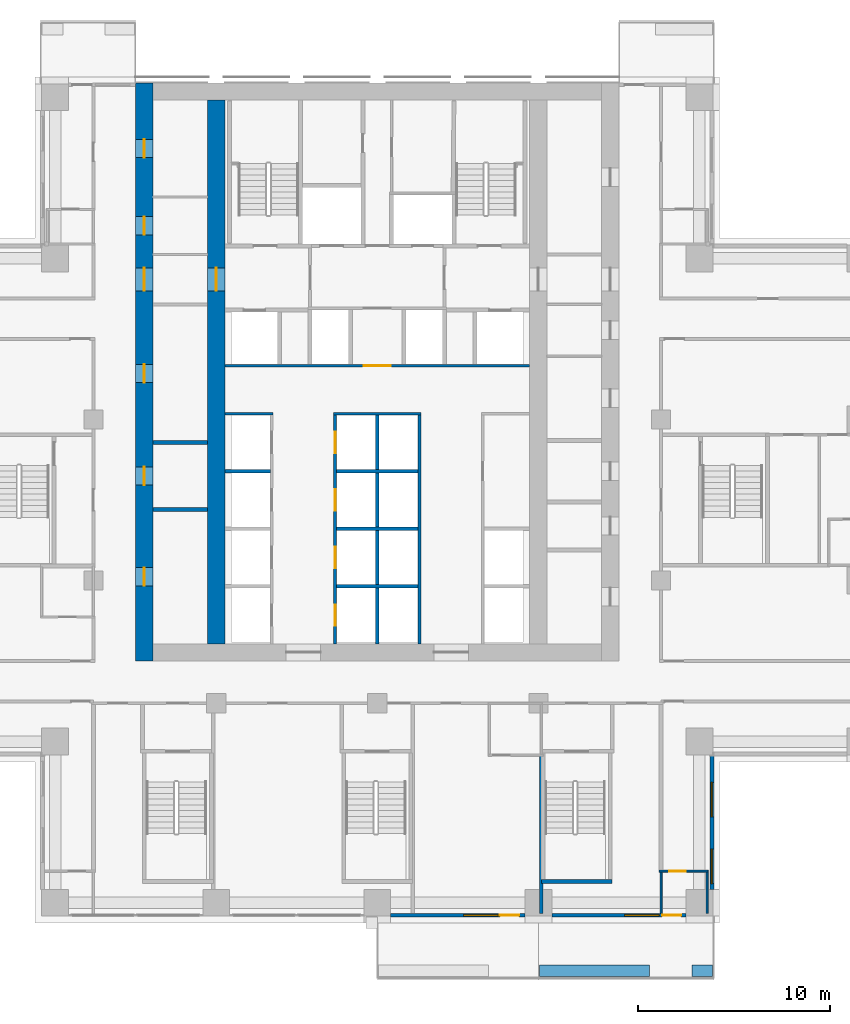
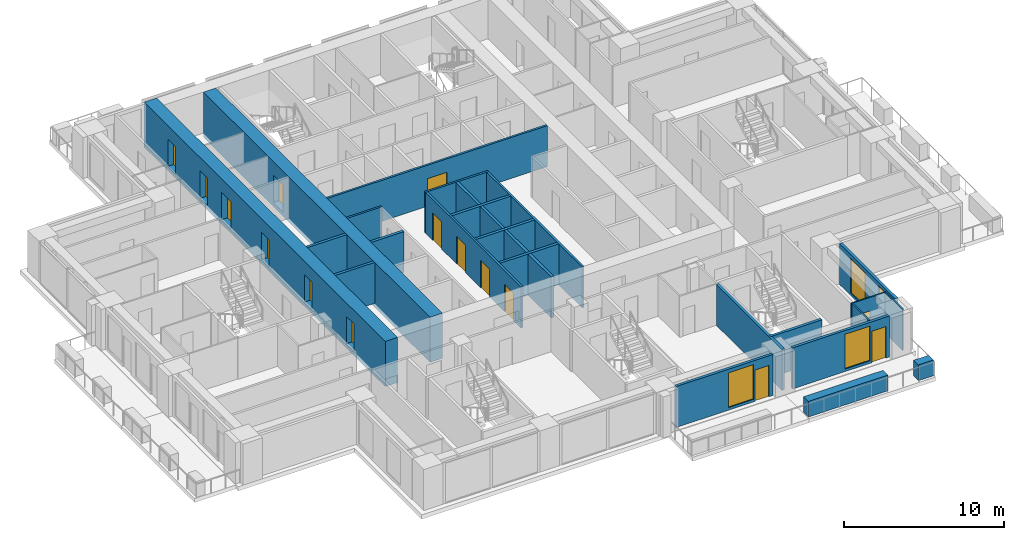
# One storey, part 10 of 17: 24 walls, 15 doors, 4 windows, 19 openings.
"""IFC4 building model written with IfcOpenShell, lengths in metres."""

from ifc_helpers import new_model, si_unit, direction, frame, frame_2d, origin, place, context, subcontext, project, spatial, rectangle, extrude, material, layer, layer_set, type_object, element, fill, save


model = new_model("IFC4")

# Units and contexts
model_context = context("Model", 3, precision=1e-05, world=origin(), true_north=direction((0.0, 1.0)))
body_context = subcontext(model_context, "Body", "Model", "MODEL_VIEW")
ifc_project = project(units=[si_unit("LENGTHUNIT", "METRE"), si_unit("AREAUNIT", "SQUARE_METRE"), si_unit("VOLUMEUNIT", "CUBIC_METRE"), si_unit("PLANEANGLEUNIT", "RADIAN"), si_unit("MASSUNIT", "GRAM", prefix="KILO")], contexts=[model_context])

# Site, building, storey
site_placement = place(None, origin())
site = spatial("IfcSite", under=ifc_project, at=site_placement, CompositionType="ELEMENT")
building_placement = place(site_placement, origin())
building = spatial("IfcBuilding", under=site, at=building_placement, Name="Vermilion Ogive Tower", CompositionType="ELEMENT")
storey_placement = place(building_placement, frame((0.0, 0.0, 51.75)))
storey = spatial("IfcBuildingStorey", under=building, at=storey_placement, Name="L11", CompositionType="ELEMENT", Elevation=51.75)

# Wall, openings, doors
ifc_material_1 = material(Name="Concrete B80", Category="concrete")
ifc_layer_1 = layer(ifc_material_1, 0.89990234375)
ifc_layer_set_1 = layer_set([ifc_layer_1], Name="Core wall 900 B80")
wall_type_1 = type_object("IfcWallType", Name="Core wall 900 B80", PredefinedType="SHEAR", material=ifc_layer_set_1)
wall_1_placement = place(storey_placement, frame((-12.14990234375, -8.39990234375, -0.320068359375), z_axis=(0.0, 0.0, 1.0), x_axis=(0.0, 1.0, 0.0)))
wall_1 = element("IfcWall", 1, at=wall_1_placement, inside=storey, type_object=wall_type_1, Name="L11-CORE-W", PredefinedType="SHEAR", context=body_context, shape_type="SweptSolid", body=[
    extrude(rectangle(XDim=30.14990234375, YDim=0.89990234375, at=frame_2d((15.074951171875, 0.0))), origin(), (0.0, 0.0, 1.0), 3.449951171875),
])
opening_1_placement = place(wall_1_placement, frame((3.925048828125, 0.0, 0.320068359375)))
opening_1 = element("IfcOpeningElement", 2, at=opening_1_placement, cuts=wall_1, Name="Opening DAD012", PredefinedType="OPENING", context=body_context, shape_type="SweptSolid", body=[
    extrude(rectangle(XDim=0.949951171875, YDim=2.10009765625, at=frame_2d((0.47509765625, 1.050048828125))), frame((0.0, 0.4599609375, 0.0), z_axis=(0.0, -1.0, 0.0), x_axis=(1.0, 0.0, 0.0)), (0.0, 0.0, 1.0), 0.919921875),
])
opening_2_placement = place(wall_1_placement, frame((9.175048828125, 0.0, 0.320068359375)))
opening_2 = element("IfcOpeningElement", 3, at=opening_2_placement, cuts=wall_1, Name="Opening DAD013", PredefinedType="OPENING", context=body_context, shape_type="SweptSolid", body=[
    extrude(rectangle(XDim=0.949951171875, YDim=2.10009765625, at=frame_2d((0.47509765625, 1.050048828125))), frame((0.0, 0.4599609375, 0.0), z_axis=(0.0, -1.0, 0.0), x_axis=(1.0, 0.0, 0.0)), (0.0, 0.0, 1.0), 0.919921875),
])
opening_3_placement = place(wall_1_placement, frame((14.52490234375, 0.0, 0.320068359375)))
opening_3 = element("IfcOpeningElement", 4, at=opening_3_placement, cuts=wall_1, Name="Opening DAD014", PredefinedType="OPENING", context=body_context, shape_type="SweptSolid", body=[
    extrude(rectangle(XDim=0.949951171875, YDim=2.10009765625, at=frame_2d((0.47509765625, 1.050048828125))), frame((0.0, 0.4599609375, 0.0), z_axis=(0.0, -1.0, 0.0), x_axis=(1.0, 0.0, 0.0)), (0.0, 0.0, 1.0), 0.919921875),
])
opening_4_placement = place(wall_1_placement, frame((22.22509765625, 0.0, 0.320068359375)))
opening_4 = element("IfcOpeningElement", 5, at=opening_4_placement, cuts=wall_1, Name="Opening DAD015", PredefinedType="OPENING", context=body_context, shape_type="SweptSolid", body=[
    extrude(rectangle(XDim=0.949951171875, YDim=2.10009765625, at=frame_2d((0.47509765625, 1.050048828125))), frame((0.0, 0.4599609375, 0.0), z_axis=(0.0, -1.0, 0.0), x_axis=(1.0, 0.0, 0.0)), (0.0, 0.0, 1.0), 0.919921875),
])
opening_5_placement = place(wall_1_placement, frame((26.25, 0.0, 0.320068359375)))
opening_5 = element("IfcOpeningElement", 6, at=opening_5_placement, cuts=wall_1, Name="Opening DAD016", PredefinedType="OPENING", context=body_context, shape_type="SweptSolid", body=[
    extrude(rectangle(XDim=0.949951171875, YDim=2.10009765625, at=frame_2d((0.47509765625, 1.050048828125))), frame((0.0, 0.4599609375, 0.0), z_axis=(0.0, -1.0, 0.0), x_axis=(1.0, 0.0, 0.0)), (0.0, 0.0, 1.0), 0.919921875),
])
opening_6_placement = place(wall_1_placement, frame((19.300048828125, 0.0, 0.320068359375)))
opening_6 = element("IfcOpeningElement", 7, at=opening_6_placement, cuts=wall_1, Name="Opening DAM003", PredefinedType="OPENING", context=body_context, shape_type="SweptSolid", body=[
    extrude(rectangle(XDim=1.199951171875, YDim=2.10009765625, at=frame_2d((0.60009765625, 1.050048828125))), frame((0.0, 0.4599609375, 0.0), z_axis=(0.0, -1.0, 0.0), x_axis=(1.0, 0.0, 0.0)), (0.0, 0.0, 1.0), 0.919921875),
])
ifc_material_2 = material(Name="Timber door leaf", Category="wood")
door_type_1 = type_object("IfcDoorType", Name="Link door 1200 x 2100 FD60S", OperationType="SINGLE_SWING_LEFT", PredefinedType="DOOR", material=ifc_material_2)
door_1_placement = place(opening_6_placement, origin())
door_1 = element("IfcDoor", 8, at=door_1_placement, inside=storey, type_object=door_type_1, Name="L11-CKW-XL", OperationType="SINGLE_SWING_LEFT", OverallHeight=2.10009765625, OverallWidth=1.199951171875, PredefinedType="DOOR", context=body_context, shape_type="SweptSolid", body=[
    extrude(rectangle(XDim=1.199951171875, YDim=2.10009765625, at=frame_2d((0.60009765625, 1.050048828125))), frame((0.0, 0.02490234375, 0.0), z_axis=(0.0, -1.0, 0.0), x_axis=(1.0, 0.0, 0.0)), (0.0, 0.0, 1.0), 0.050048828125),
])
fill(opening_6, door_1)
ifc_material_3 = material(Name="Timber door leaf", Category="wood")
door_type_2 = type_object("IfcDoorType", Name="Service door 950 x 2100 FD60", OperationType="SINGLE_SWING_LEFT", PredefinedType="DOOR", material=ifc_material_3)
door_2_placement = place(opening_1_placement, origin())
door_2 = element("IfcDoor", 9, at=door_2_placement, inside=storey, type_object=door_type_2, Name="L11-CKW-XR0", OperationType="SINGLE_SWING_LEFT", OverallHeight=2.10009765625, OverallWidth=0.949951171875, PredefinedType="DOOR", context=body_context, shape_type="SweptSolid", body=[
    extrude(rectangle(XDim=0.949951171875, YDim=2.10009765625, at=frame_2d((0.47509765625, 1.050048828125))), frame((0.0, 0.02490234375, 0.0), z_axis=(0.0, -1.0, 0.0), x_axis=(1.0, 0.0, 0.0)), (0.0, 0.0, 1.0), 0.050048828125),
])
fill(opening_1, door_2)
door_3_placement = place(opening_2_placement, origin())
door_3 = element("IfcDoor", 10, at=door_3_placement, inside=storey, type_object=door_type_2, Name="L11-CKW-XR1", OperationType="SINGLE_SWING_LEFT", OverallHeight=2.10009765625, OverallWidth=0.949951171875, PredefinedType="DOOR", context=body_context, shape_type="SweptSolid", body=[
    extrude(rectangle(XDim=0.949951171875, YDim=2.10009765625, at=frame_2d((0.47509765625, 1.050048828125))), frame((0.0, 0.02490234375, 0.0), z_axis=(0.0, -1.0, 0.0), x_axis=(1.0, 0.0, 0.0)), (0.0, 0.0, 1.0), 0.050048828125),
])
fill(opening_2, door_3)
door_4_placement = place(opening_3_placement, origin())
door_4 = element("IfcDoor", 11, at=door_4_placement, inside=storey, type_object=door_type_2, Name="L11-CKW-XR2", OperationType="SINGLE_SWING_LEFT", OverallHeight=2.10009765625, OverallWidth=0.949951171875, PredefinedType="DOOR", context=body_context, shape_type="SweptSolid", body=[
    extrude(rectangle(XDim=0.949951171875, YDim=2.10009765625, at=frame_2d((0.47509765625, 1.050048828125))), frame((0.0, 0.02490234375, 0.0), z_axis=(0.0, -1.0, 0.0), x_axis=(1.0, 0.0, 0.0)), (0.0, 0.0, 1.0), 0.050048828125),
])
fill(opening_3, door_4)
door_5_placement = place(opening_4_placement, origin())
door_5 = element("IfcDoor", 12, at=door_5_placement, inside=storey, type_object=door_type_2, Name="L11-CKW-XR3", OperationType="SINGLE_SWING_LEFT", OverallHeight=2.10009765625, OverallWidth=0.949951171875, PredefinedType="DOOR", context=body_context, shape_type="SweptSolid", body=[
    extrude(rectangle(XDim=0.949951171875, YDim=2.10009765625, at=frame_2d((0.47509765625, 1.050048828125))), frame((0.0, 0.02490234375, 0.0), z_axis=(0.0, -1.0, 0.0), x_axis=(1.0, 0.0, 0.0)), (0.0, 0.0, 1.0), 0.050048828125),
])
fill(opening_4, door_5)
door_6_placement = place(opening_5_placement, origin())
door_6 = element("IfcDoor", 13, at=door_6_placement, inside=storey, type_object=door_type_2, Name="L11-CKW-XR4", OperationType="SINGLE_SWING_LEFT", OverallHeight=2.10009765625, OverallWidth=0.949951171875, PredefinedType="DOOR", context=body_context, shape_type="SweptSolid", body=[
    extrude(rectangle(XDim=0.949951171875, YDim=2.10009765625, at=frame_2d((0.47509765625, 1.050048828125))), frame((0.0, 0.02490234375, 0.0), z_axis=(0.0, -1.0, 0.0), x_axis=(1.0, 0.0, 0.0)), (0.0, 0.0, 1.0), 0.050048828125),
])
fill(opening_5, door_6)

# Wall, opening, door
wall_2_placement = place(storey_placement, frame((-8.39990234375, -7.5, -0.320068359375), z_axis=(0.0, 0.0, 1.0), x_axis=(0.0, 1.0, 0.0)))
wall_2 = element("IfcWall", 14, at=wall_2_placement, inside=storey, type_object=wall_type_1, Name="L11-CORE-WEB1", PredefinedType="SHEAR", context=body_context, shape_type="SweptSolid", body=[
    extrude(rectangle(XDim=28.35009765625, YDim=0.89990234375, at=frame_2d((14.175048828125, 0.0))), origin(), (0.0, 0.0, 1.0), 3.449951171875),
])
opening_7_placement = place(wall_2_placement, frame((18.39990234375, 0.0, 0.320068359375)))
opening_7 = element("IfcOpeningElement", 15, at=opening_7_placement, cuts=wall_2, Name="Opening DAP003", PredefinedType="OPENING", context=body_context, shape_type="SweptSolid", body=[
    extrude(rectangle(XDim=1.199951171875, YDim=2.10009765625, at=frame_2d((0.60009765625, 1.050048828125))), frame((0.0, 0.4599609375, 0.0), z_axis=(0.0, -1.0, 0.0), x_axis=(1.0, 0.0, 0.0)), (0.0, 0.0, 1.0), 0.919921875),
])
door_7_placement = place(opening_7_placement, origin())
door_7 = element("IfcDoor", 16, at=door_7_placement, inside=storey, type_object=door_type_1, Name="L11-CKW-XW", OperationType="SINGLE_SWING_LEFT", OverallHeight=2.10009765625, OverallWidth=1.199951171875, PredefinedType="DOOR", context=body_context, shape_type="SweptSolid", body=[
    extrude(rectangle(XDim=1.199951171875, YDim=2.10009765625, at=frame_2d((0.60009765625, 1.050048828125))), frame((0.0, 0.02490234375, 0.0), z_axis=(0.0, -1.0, 0.0), x_axis=(1.0, 0.0, 0.0)), (0.0, 0.0, 1.0), 0.050048828125),
])
fill(opening_7, door_7)

ifc_material_4 = material(Name="Gypsum board partition on steel studs", Category="steel")
ifc_layer_2 = layer(ifc_material_4, 0.10009765625)
ifc_layer_set_2 = layer_set([ifc_layer_2], Name="Partition 100 bath")
wall_type_2 = type_object("IfcWallType", Name="Partition 100 bath", PredefinedType="PARTITIONING", material=ifc_layer_set_2)
wall_3_placement = place(storey_placement, frame((14.699951171875, -19.35009765625, 0.0), z_axis=(0.0, 0.0, 1.0), x_axis=(1.0, 0.0, 0.0)))
wall_3 = element("IfcWall", 17, at=wall_3_placement, inside=storey, type_object=wall_type_2, Name="L11-W-W005", PredefinedType="PARTITIONING", context=body_context, shape_type="SweptSolid", body=[
    extrude(rectangle(XDim=2.550048828125, YDim=0.10009765625, at=frame_2d((1.27490234375, 0.0))), origin(), (0.0, 0.0, 1.0), 3.1298828125),
])
opening_8_placement = place(wall_3_placement, frame((0.52490234375, 0.0, 0.0)))
opening_8 = element("IfcOpeningElement", 18, at=opening_8_placement, cuts=wall_3, Name="Opening D1G3015", PredefinedType="OPENING", context=body_context, shape_type="SweptSolid", body=[
    extrude(rectangle(XDim=0.85009765625, YDim=2.10009765625, at=frame_2d((0.425048828125, 1.050048828125))), frame((0.0, 0.06005859375, 0.0), z_axis=(0.0, -1.0, 0.0), x_axis=(1.0, 0.0, 0.0)), (0.0, 0.0, 1.0), 0.1201171875),
])
ifc_material_5 = material(Name="Timber door leaf", Category="wood")
door_type_3 = type_object("IfcDoorType", Name="Bath door 850 x 2100 FD30", OperationType="SINGLE_SWING_LEFT", PredefinedType="DOOR", material=ifc_material_5)
door_8_placement = place(opening_8_placement, origin())
door_8 = element("IfcDoor", 19, at=door_8_placement, inside=storey, type_object=door_type_3, Name="L11-D-D015", OperationType="SINGLE_SWING_RIGHT", OverallHeight=2.10009765625, OverallWidth=0.85009765625, PredefinedType="DOOR", context=body_context, shape_type="SweptSolid", body=[
    extrude(rectangle(XDim=0.85009765625, YDim=2.10009765625, at=frame_2d((0.425048828125, 1.050048828125))), frame((0.0, 0.02490234375, 0.0), z_axis=(0.0, -1.0, 0.0), x_axis=(1.0, 0.0, 0.0)), (0.0, 0.0, 1.0), 0.050048828125),
])
fill(opening_8, door_8)

# Walls
for number, where, z_axis, x_axis, name in (
    (20, (14.800048828125, -21.550048828125, 0.0), (0.0, 0.0, 1.0), (0.0, 1.0, 0.0), "L11-W-W070"),
    (21, (17.199951171875, -21.550048828125, 0.0), (0.0, 0.0, 1.0), (0.0, 1.0, 0.0), "L11-W-W077"),
):
    element("IfcWall", number, at=place(storey_placement, frame(where, z_axis=z_axis, x_axis=x_axis)), inside=storey, type_object=wall_type_2, Name=name, PredefinedType="PARTITIONING", context=body_context, shape_type="SweptSolid", body=[
        extrude(rectangle(XDim=2.150146484375, YDim=0.10009765625, at=frame_2d((1.0751953125, 0.0))), origin(), (0.0, 0.0, 1.0), 3.1298828125),
    ])
ifc_material_6 = material(Name="Gypsum board partition on steel studs", Category="steel")
ifc_layer_3 = layer(ifc_material_6, 0.14990234375)
ifc_layer_set_3 = layer_set([ifc_layer_3], Name="Partition 150 corridor")
wall_type_3 = type_object("IfcWallType", Name="Partition 150 corridor", PredefinedType="PARTITIONING", material=ifc_layer_set_3)
wall_4_placement = place(storey_placement, frame((-7.948974609375, 4.5, 0.0), z_axis=(0.0, 0.0, 1.0), x_axis=(1.0, 0.0, 0.0)))
element("IfcWall", 22, at=wall_4_placement, inside=storey, type_object=wall_type_3, Name="L11-CK-W-W009", PredefinedType="PARTITIONING", context=body_context, shape_type="SweptSolid", body=[
    extrude(rectangle(XDim=2.52392578125, YDim=0.14990234375, at=frame_2d((1.261962890625, 0.0))), origin(), (0.0, 0.0, 1.0), 3.1298828125),
])
wall_5_placement = place(storey_placement, frame((-2.27490234375, 4.5, 0.0), z_axis=(0.0, 0.0, 1.0), x_axis=(1.0, 0.0, 0.0)))
element("IfcWall", 23, at=wall_5_placement, inside=storey, type_object=wall_type_3, Name="L11-CK-W-W010", PredefinedType="PARTITIONING", context=body_context, shape_type="SweptSolid", body=[
    extrude(rectangle(XDim=4.5498046875, YDim=0.14990234375, at=frame_2d((2.27490234375, 0.0))), origin(), (0.0, 0.0, 1.0), 3.1298828125),
])

# Wall, opening, door
wall_6_placement = place(storey_placement, frame((-7.948974609375, 7.0, 0.0), z_axis=(0.0, 0.0, 1.0), x_axis=(1.0, 0.0, 0.0)))
wall_6 = element("IfcWall", 24, at=wall_6_placement, inside=storey, type_object=wall_type_3, Name="L11-CK-W-W012", PredefinedType="PARTITIONING", context=body_context, shape_type="SweptSolid", body=[
    extrude(rectangle(XDim=15.89794921875, YDim=0.14990234375, at=frame_2d((7.948974609375, 0.0))), origin(), (0.0, 0.0, 1.0), 3.1298828125),
])
opening_9_placement = place(wall_6_placement, frame((7.2490234375, 0.0, 0.0)))
opening_9 = element("IfcOpeningElement", 25, at=opening_9_placement, cuts=wall_6, Name="Opening DAA048", PredefinedType="OPENING", context=body_context, shape_type="SweptSolid", body=[
    extrude(rectangle(XDim=1.39990234375, YDim=2.10009765625, at=frame_2d((0.699951171875, 1.050048828125))), frame((0.0, 0.0849609375, 0.0), z_axis=(0.0, -1.0, 0.0), x_axis=(1.0, 0.0, 0.0)), (0.0, 0.0, 1.0), 0.169921875),
])
ifc_material_7 = material(Name="Timber door leaf", Category="wood")
door_type_4 = type_object("IfcDoorType", Name="Lobby door 1400 x 2100 FD60S", OperationType="SINGLE_SWING_LEFT", PredefinedType="DOOR", material=ifc_material_7)
door_9_placement = place(opening_9_placement, origin())
door_9 = element("IfcDoor", 26, at=door_9_placement, inside=storey, type_object=door_type_4, Name="L11-CK-D-D014", OperationType="SINGLE_SWING_RIGHT", OverallHeight=2.10009765625, OverallWidth=1.39990234375, PredefinedType="DOOR", context=body_context, shape_type="SweptSolid", body=[
    extrude(rectangle(XDim=1.39990234375, YDim=2.10009765625, at=frame_2d((0.699951171875, 1.050048828125))), frame((0.0, 0.02490234375, 0.0), z_axis=(0.0, -1.0, 0.0), x_axis=(1.0, 0.0, 0.0)), (0.0, 0.0, 1.0), 0.050048828125),
])
fill(opening_9, door_9)

# Wall, openings, doors
wall_7_placement = place(storey_placement, frame((-2.199951171875, -7.4990234375, 0.0), z_axis=(0.0, 0.0, 1.0), x_axis=(0.0, 1.0, 0.0)))
wall_7 = element("IfcWall", 27, at=wall_7_placement, inside=storey, type_object=wall_type_3, Name="L11-CK-W-W026", PredefinedType="PARTITIONING", context=body_context, shape_type="SweptSolid", body=[
    extrude(rectangle(XDim=11.924072265625, YDim=0.14990234375, at=frame_2d((5.9619140625, 0.0))), origin(), (0.0, 0.0, 1.0), 3.1298828125),
])
opening_10_placement = place(wall_7_placement, frame((0.948974609375, 0.0, 0.0)))
opening_10 = element("IfcOpeningElement", 28, at=opening_10_placement, cuts=wall_7, Name="Opening DAA062", PredefinedType="OPENING", context=body_context, shape_type="SweptSolid", body=[
    extrude(rectangle(XDim=1.10009765625, YDim=2.10009765625, at=frame_2d((0.550048828125, 1.050048828125))), frame((0.0, 0.0849609375, 0.0), z_axis=(0.0, -1.0, 0.0), x_axis=(1.0, 0.0, 0.0)), (0.0, 0.0, 1.0), 0.169921875),
])
opening_11_placement = place(wall_7_placement, frame((3.948974609375, 0.0, 0.0)))
opening_11 = element("IfcOpeningElement", 29, at=opening_11_placement, cuts=wall_7, Name="Opening DAA063", PredefinedType="OPENING", context=body_context, shape_type="SweptSolid", body=[
    extrude(rectangle(XDim=1.10009765625, YDim=2.10009765625, at=frame_2d((0.550048828125, 1.050048828125))), frame((0.0, 0.0849609375, 0.0), z_axis=(0.0, -1.0, 0.0), x_axis=(1.0, 0.0, 0.0)), (0.0, 0.0, 1.0), 0.169921875),
])
opening_12_placement = place(wall_7_placement, frame((6.948974609375, 0.0, 0.0)))
opening_12 = element("IfcOpeningElement", 30, at=opening_12_placement, cuts=wall_7, Name="Opening DAA064", PredefinedType="OPENING", context=body_context, shape_type="SweptSolid", body=[
    extrude(rectangle(XDim=1.10009765625, YDim=2.10009765625, at=frame_2d((0.550048828125, 1.050048828125))), frame((0.0, 0.0849609375, 0.0), z_axis=(0.0, -1.0, 0.0), x_axis=(1.0, 0.0, 0.0)), (0.0, 0.0, 1.0), 0.169921875),
])
opening_13_placement = place(wall_7_placement, frame((9.948974609375, 0.0, 0.0)))
opening_13 = element("IfcOpeningElement", 31, at=opening_13_placement, cuts=wall_7, Name="Opening DAA065", PredefinedType="OPENING", context=body_context, shape_type="SweptSolid", body=[
    extrude(rectangle(XDim=1.10009765625, YDim=2.10009765625, at=frame_2d((0.550048828125, 1.050048828125))), frame((0.0, 0.0849609375, 0.0), z_axis=(0.0, -1.0, 0.0), x_axis=(1.0, 0.0, 0.0)), (0.0, 0.0, 1.0), 0.169921875),
])
ifc_material_8 = material(Name="Stainless steel", Category="steel")
door_type_5 = type_object("IfcDoorType", Name="Lift landing door 1100 x 2100", OperationType="SLIDING_TO_LEFT", PredefinedType="DOOR", material=ifc_material_8)
door_10_placement = place(opening_10_placement, origin())
door_10 = element("IfcDoor", 32, at=door_10_placement, inside=storey, type_object=door_type_5, Name="L11-CK-D-D005", OperationType="SLIDING_TO_RIGHT", OverallHeight=2.10009765625, OverallWidth=1.10009765625, PredefinedType="DOOR", context=body_context, shape_type="SweptSolid", body=[
    extrude(rectangle(XDim=1.10009765625, YDim=2.10009765625, at=frame_2d((0.550048828125, 1.050048828125))), frame((0.0, 0.02490234375, 0.0), z_axis=(0.0, -1.0, 0.0), x_axis=(1.0, 0.0, 0.0)), (0.0, 0.0, 1.0), 0.050048828125),
])
fill(opening_10, door_10)
door_11_placement = place(opening_11_placement, origin())
door_11 = element("IfcDoor", 33, at=door_11_placement, inside=storey, type_object=door_type_5, Name="L11-CK-D-D006", OperationType="SLIDING_TO_RIGHT", OverallHeight=2.10009765625, OverallWidth=1.10009765625, PredefinedType="DOOR", context=body_context, shape_type="SweptSolid", body=[
    extrude(rectangle(XDim=1.10009765625, YDim=2.10009765625, at=frame_2d((0.550048828125, 1.050048828125))), frame((0.0, 0.02490234375, 0.0), z_axis=(0.0, -1.0, 0.0), x_axis=(1.0, 0.0, 0.0)), (0.0, 0.0, 1.0), 0.050048828125),
])
fill(opening_11, door_11)
door_12_placement = place(opening_12_placement, origin())
door_12 = element("IfcDoor", 34, at=door_12_placement, inside=storey, type_object=door_type_5, Name="L11-CK-D-D007", OperationType="SLIDING_TO_RIGHT", OverallHeight=2.10009765625, OverallWidth=1.10009765625, PredefinedType="DOOR", context=body_context, shape_type="SweptSolid", body=[
    extrude(rectangle(XDim=1.10009765625, YDim=2.10009765625, at=frame_2d((0.550048828125, 1.050048828125))), frame((0.0, 0.02490234375, 0.0), z_axis=(0.0, -1.0, 0.0), x_axis=(1.0, 0.0, 0.0)), (0.0, 0.0, 1.0), 0.050048828125),
])
fill(opening_12, door_12)
door_13_placement = place(opening_13_placement, origin())
door_13 = element("IfcDoor", 35, at=door_13_placement, inside=storey, type_object=door_type_5, Name="L11-CK-D-D008", OperationType="SLIDING_TO_RIGHT", OverallHeight=2.10009765625, OverallWidth=1.10009765625, PredefinedType="DOOR", context=body_context, shape_type="SweptSolid", body=[
    extrude(rectangle(XDim=1.10009765625, YDim=2.10009765625, at=frame_2d((0.550048828125, 1.050048828125))), frame((0.0, 0.02490234375, 0.0), z_axis=(0.0, -1.0, 0.0), x_axis=(1.0, 0.0, 0.0)), (0.0, 0.0, 1.0), 0.050048828125),
])
fill(opening_13, door_13)

# Walls
wall_8_placement = place(storey_placement, frame((2.199951171875, -7.4990234375, 0.0), z_axis=(0.0, 0.0, 1.0), x_axis=(0.0, 1.0, 0.0)))
element("IfcWall", 36, at=wall_8_placement, inside=storey, type_object=wall_type_3, Name="L11-CK-W-W033", PredefinedType="PARTITIONING", context=body_context, shape_type="SweptSolid", body=[
    extrude(rectangle(XDim=11.924072265625, YDim=0.14990234375, at=frame_2d((5.9619140625, 0.0))), origin(), (0.0, 0.0, 1.0), 3.1298828125),
])
ifc_material_9 = material(Name="Gypsum board partition on steel studs", Category="steel")
ifc_layer_4 = layer(ifc_material_9, 0.199951171875)
ifc_layer_set_4 = layer_set([ifc_layer_4], Name="Partition 200 party")
wall_type_4 = type_object("IfcWallType", Name="Partition 200 party", PredefinedType="PARTITIONING", material=ifc_layer_set_4)
for number, where, z_axis, x_axis, name in (
    (37, (-2.125, -4.5, 0.0), (0.0, 0.0, 1.0), (1.0, 0.0, 0.0), "L11-CK-W-W002"),
    (38, (-2.125, -1.5, 0.0), (0.0, 0.0, 1.0), (1.0, 0.0, 0.0), "L11-CK-W-W005"),
):
    element("IfcWall", number, at=place(storey_placement, frame(where, z_axis=z_axis, x_axis=x_axis)), inside=storey, type_object=wall_type_4, Name=name, PredefinedType="PARTITIONING", context=body_context, shape_type="SweptSolid", body=[
        extrude(rectangle(XDim=4.25, YDim=0.199951171875, at=frame_2d((2.125, 0.0))), origin(), (0.0, 0.0, 1.0), 3.1298828125),
    ])
wall_9_placement = place(storey_placement, frame((-7.948974609375, 1.5, 0.0), z_axis=(0.0, 0.0, 1.0), x_axis=(1.0, 0.0, 0.0)))
element("IfcWall", 39, at=wall_9_placement, inside=storey, type_object=wall_type_4, Name="L11-CK-W-W007", PredefinedType="PARTITIONING", context=body_context, shape_type="SweptSolid", body=[
    extrude(rectangle(XDim=2.3740234375, YDim=0.199951171875, at=frame_2d((1.18701171875, 0.0))), origin(), (0.0, 0.0, 1.0), 3.1298828125),
])
wall_10_placement = place(storey_placement, frame((-2.125, 1.5, 0.0), z_axis=(0.0, 0.0, 1.0), x_axis=(1.0, 0.0, 0.0)))
element("IfcWall", 40, at=wall_10_placement, inside=storey, type_object=wall_type_4, Name="L11-CK-W-W008", PredefinedType="PARTITIONING", context=body_context, shape_type="SweptSolid", body=[
    extrude(rectangle(XDim=4.25, YDim=0.199951171875, at=frame_2d((2.125, 0.0))), origin(), (0.0, 0.0, 1.0), 3.1298828125),
])
wall_11_placement = place(storey_placement, frame((0.0, -7.4990234375, 0.0), z_axis=(0.0, 0.0, 1.0), x_axis=(0.0, 1.0, 0.0)))
element("IfcWall", 41, at=wall_11_placement, inside=storey, type_object=wall_type_4, Name="L11-CK-W-W029", PredefinedType="PARTITIONING", context=body_context, shape_type="SweptSolid", body=[
    extrude(rectangle(XDim=11.924072265625, YDim=0.199951171875, at=frame_2d((5.9619140625, 0.0))), origin(), (0.0, 0.0, 1.0), 3.1298828125),
])
for number, where, z_axis, x_axis, name in (
    (42, (-11.698974609375, -0.5, 0.0), (0.0, 0.0, 1.0), (1.0, 0.0, 0.0), "L11-CKW-W-W001"),
    (43, (-11.698974609375, 3.0, 0.0), (0.0, 0.0, 1.0), (1.0, 0.0, 0.0), "L11-CKW-W-W002"),
):
    element("IfcWall", number, at=place(storey_placement, frame(where, z_axis=z_axis, x_axis=x_axis)), inside=storey, type_object=wall_type_4, Name=name, PredefinedType="PARTITIONING", context=body_context, shape_type="SweptSolid", body=[
        extrude(rectangle(XDim=2.847900390625, YDim=0.199951171875, at=frame_2d((1.423828125, 0.0))), origin(), (0.0, 0.0, 1.0), 3.1298828125),
    ])
ifc_material_10 = material(Name="Concrete B60", Category="concrete")
ifc_layer_5 = layer(ifc_material_10, 0.199951171875)
ifc_layer_set_5 = layer_set([ifc_layer_5], Name="Stair shaft wall 200 Concrete B60")
wall_type_5 = type_object("IfcWallType", Name="Stair shaft wall 200 Concrete B60", PredefinedType="SOLIDWALL", material=ifc_layer_set_5)
wall_12_placement = place(storey_placement, frame((8.552001953125, -19.89990234375, 0.0), z_axis=(0.0, 0.0, 1.0), x_axis=(1.0, 0.0, 0.0)))
element("IfcWall", 44, at=wall_12_placement, inside=storey, type_object=wall_type_5, Name="L11-W-W003", PredefinedType="SOLIDWALL", context=body_context, shape_type="SweptSolid", body=[
    extrude(rectangle(XDim=3.696044921875, YDim=0.199951171875, at=frame_2d((1.84814453125, 0.0))), origin(), (0.0, 0.0, 1.0), 3.1298828125),
])
wall_13_placement = place(storey_placement, frame((8.550048828125, -21.550048828125, 0.0), z_axis=(0.0, 0.0, 1.0), x_axis=(0.0, 1.0, 0.0)))
element("IfcWall", 45, at=wall_13_placement, inside=storey, type_object=wall_type_5, Name="L11-W-W065-A", PredefinedType="SOLIDWALL", context=body_context, shape_type="SweptSolid", body=[
    extrude(rectangle(XDim=8.199951171875, YDim=0.199951171875, at=frame_2d((4.10009765625, 0.0))), origin(), (0.0, 0.0, 1.0), 3.1298828125),
])
ifc_material_11 = material(Name="Concrete B40", Category="concrete")
ifc_layer_6 = layer(ifc_material_11, 0.60009765625)
ifc_layer_set_6 = layer_set([ifc_layer_6], Name="Structural planter")
wall_type_6 = type_object("IfcWallType", Name="Structural planter", PredefinedType="USERDEFINED", material=ifc_layer_set_6)
wall_14_placement = place(storey_placement, frame((8.4599609375, -24.550048828125, -0.0400390625), z_axis=(0.0, 0.0, 1.0), x_axis=(1.0, 0.0, 0.0)))
element("IfcWall", 46, at=wall_14_placement, inside=storey, type_object=wall_type_6, Name="Planter S04A1", ObjectType="PLANTER", PredefinedType="USERDEFINED", context=body_context, shape_type="SweptSolid", body=[
    extrude(rectangle(XDim=5.739990234375, YDim=0.60009765625, at=frame_2d((2.8701171875, 0.0))), origin(), (0.0, 0.0, 1.0), 1.199951171875),
])
wall_15_placement = place(storey_placement, frame((16.39990234375, -24.550048828125, -0.0400390625), z_axis=(0.0, 0.0, 1.0), x_axis=(1.0, 0.0, 0.0)))
element("IfcWall", 47, at=wall_15_placement, inside=storey, type_object=wall_type_6, Name="Planter S04A2", ObjectType="PLANTER", PredefinedType="USERDEFINED", context=body_context, shape_type="SweptSolid", body=[
    extrude(rectangle(XDim=1.090087890625, YDim=0.60009765625, at=frame_2d((0.544921875, 0.0))), origin(), (0.0, 0.0, 1.0), 1.199951171875),
])

# Wall, openings, door, window
ifc_material_12 = material(Name="Aluminium window wall framing", Category="aluminium")
ifc_layer_7 = layer(ifc_material_12, 0.199951171875)
ifc_layer_set_7 = layer_set([ifc_layer_7], Name="Window wall")
wall_type_7 = type_object("IfcWallType", Name="Window wall", PredefinedType="STANDARD", material=ifc_layer_set_7)
wall_16_placement = place(storey_placement, frame((0.699951171875, -21.64990234375, 0.0), z_axis=(0.0, 0.0, 1.0), x_axis=(1.0, 0.0, 0.0)))
wall_16 = element("IfcWall", 48, at=wall_16_placement, inside=storey, type_object=wall_type_7, Name="Window wall S3", PredefinedType="STANDARD", context=body_context, shape_type="SweptSolid", body=[
    extrude(rectangle(XDim=7.0, YDim=0.199951171875, at=frame_2d((3.5, 0.0))), origin(), (0.0, 0.0, 1.0), 3.1298828125),
])
opening_14_placement = place(wall_16_placement, frame((3.800048828125, 0.0, 0.199951171875)))
opening_14 = element("IfcOpeningElement", 49, at=opening_14_placement, cuts=wall_16, Name="Opening W1-S01", PredefinedType="OPENING", context=body_context, shape_type="SweptSolid", body=[
    extrude(rectangle(XDim=1.800048828125, YDim=2.64990234375, at=frame_2d((0.89990234375, 1.324951171875))), frame((0.0, 0.10986328125, 0.0), z_axis=(0.0, -1.0, 0.0), x_axis=(1.0, 0.0, 0.0)), (0.0, 0.0, 1.0), 0.219970703125),
])
opening_15_placement = place(wall_16_placement, frame((5.699951171875, 0.0, 0.0)))
opening_15 = element("IfcOpeningElement", 50, at=opening_15_placement, cuts=wall_16, Name="Opening D1-S01", PredefinedType="OPENING", context=body_context, shape_type="SweptSolid", body=[
    extrude(rectangle(XDim=1.0, YDim=2.39990234375, at=frame_2d((0.5, 1.199951171875))), frame((0.0, 0.10986328125, 0.0), z_axis=(0.0, -1.0, 0.0), x_axis=(1.0, 0.0, 0.0)), (0.0, 0.0, 1.0), 0.219970703125),
])
ifc_material_13 = material(Name="Aluminium framed glazed door", Category="aluminium")
door_type_6 = type_object("IfcDoorType", Name="Balcony door D1", OperationType="SINGLE_SWING_LEFT", PredefinedType="DOOR", material=ifc_material_13)
door_14_placement = place(opening_15_placement, origin())
door_14 = element("IfcDoor", 51, at=door_14_placement, inside=storey, type_object=door_type_6, Name="Balcony door S01", OperationType="SINGLE_SWING_LEFT", OverallHeight=2.39990234375, OverallWidth=1.0, PredefinedType="DOOR", context=body_context, shape_type="SweptSolid", body=[
    extrude(rectangle(XDim=1.0, YDim=2.39990234375, at=frame_2d((0.5, 1.199951171875))), frame((0.0, 0.02490234375, 0.0), z_axis=(0.0, -1.0, 0.0), x_axis=(1.0, 0.0, 0.0)), (0.0, 0.0, 1.0), 0.050048828125),
])
fill(opening_15, door_14)
ifc_material_14 = material(Name="Aluminium framed double glazing", Category="aluminium")
window_type = type_object("IfcWindowType", Name="Guest window W1", PartitioningType="SINGLE_PANEL", PredefinedType="WINDOW", material=ifc_material_14)
window_1_placement = place(opening_14_placement, origin())
window_1 = element("IfcWindow", 52, at=window_1_placement, inside=storey, type_object=window_type, Name="Window S01", OverallHeight=2.64990234375, OverallWidth=1.800048828125, PartitioningType="SINGLE_PANEL", PredefinedType="WINDOW", context=body_context, shape_type="SweptSolid", body=[
    extrude(rectangle(XDim=1.800048828125, YDim=2.64990234375, at=frame_2d((0.89990234375, 1.324951171875))), frame((0.0, 0.030029296875, 0.0), z_axis=(0.0, -1.0, 0.0), x_axis=(1.0, 0.0, 0.0)), (0.0, 0.0, 1.0), 0.06005859375),
])
fill(opening_14, window_1)

wall_17_placement = place(storey_placement, frame((9.10009765625, -21.64990234375, 0.0), z_axis=(0.0, 0.0, 1.0), x_axis=(1.0, 0.0, 0.0)))
wall_17 = element("IfcWall", 53, at=wall_17_placement, inside=storey, type_object=wall_type_7, Name="Window wall S4", PredefinedType="STANDARD", context=body_context, shape_type="SweptSolid", body=[
    extrude(rectangle(XDim=7.0, YDim=0.199951171875, at=frame_2d((3.5, 0.0))), origin(), (0.0, 0.0, 1.0), 3.1298828125),
])
opening_16_placement = place(wall_17_placement, frame((3.800048828125, 0.0, 0.199951171875)))
opening_16 = element("IfcOpeningElement", 54, at=opening_16_placement, cuts=wall_17, Name="Opening W1-S03", PredefinedType="OPENING", context=body_context, shape_type="SweptSolid", body=[
    extrude(rectangle(XDim=1.800048828125, YDim=2.64990234375, at=frame_2d((0.89990234375, 1.324951171875))), frame((0.0, 0.10986328125, 0.0), z_axis=(0.0, -1.0, 0.0), x_axis=(1.0, 0.0, 0.0)), (0.0, 0.0, 1.0), 0.219970703125),
])
opening_17_placement = place(wall_17_placement, frame((5.75, 0.0, 0.0)))
opening_17 = element("IfcOpeningElement", 55, at=opening_17_placement, cuts=wall_17, Name="Opening D1-S03", PredefinedType="OPENING", context=body_context, shape_type="SweptSolid", body=[
    extrude(rectangle(XDim=1.0, YDim=2.39990234375, at=frame_2d((0.5, 1.199951171875))), frame((0.0, 0.10986328125, 0.0), z_axis=(0.0, -1.0, 0.0), x_axis=(1.0, 0.0, 0.0)), (0.0, 0.0, 1.0), 0.219970703125),
])
door_15_placement = place(opening_17_placement, origin())
door_15 = element("IfcDoor", 56, at=door_15_placement, inside=storey, type_object=door_type_6, Name="Balcony door S03", OperationType="SINGLE_SWING_LEFT", OverallHeight=2.39990234375, OverallWidth=1.0, PredefinedType="DOOR", context=body_context, shape_type="SweptSolid", body=[
    extrude(rectangle(XDim=1.0, YDim=2.39990234375, at=frame_2d((0.5, 1.199951171875))), frame((0.0, 0.02490234375, 0.0), z_axis=(0.0, -1.0, 0.0), x_axis=(1.0, 0.0, 0.0)), (0.0, 0.0, 1.0), 0.050048828125),
])
fill(opening_17, door_15)
window_2_placement = place(opening_16_placement, origin())
window_2 = element("IfcWindow", 57, at=window_2_placement, inside=storey, type_object=window_type, Name="Window S03", OverallHeight=2.64990234375, OverallWidth=1.800048828125, PartitioningType="SINGLE_PANEL", PredefinedType="WINDOW", context=body_context, shape_type="SweptSolid", body=[
    extrude(rectangle(XDim=1.800048828125, YDim=2.64990234375, at=frame_2d((0.89990234375, 1.324951171875))), frame((0.0, 0.030029296875, 0.0), z_axis=(0.0, -1.0, 0.0), x_axis=(1.0, 0.0, 0.0)), (0.0, 0.0, 1.0), 0.06005859375),
])
fill(opening_16, window_2)

# Wall, openings, windows
wall_18_placement = place(storey_placement, frame((17.449951171875, -20.300048828125, 0.0), z_axis=(0.0, 0.0, 1.0), x_axis=(0.0, 1.0, 0.0)))
wall_18 = element("IfcWall", 58, at=wall_18_placement, inside=storey, type_object=wall_type_7, Name="Window wall X11", PredefinedType="STANDARD", context=body_context, shape_type="SweptSolid", body=[
    extrude(rectangle(XDim=6.949951171875, YDim=0.199951171875, at=frame_2d((3.47509765625, 0.0))), origin(), (0.0, 0.0, 1.0), 3.1298828125),
])
opening_18_placement = place(wall_18_placement, frame((0.300048828125, 0.0, 0.199951171875)))
opening_18 = element("IfcOpeningElement", 59, at=opening_18_placement, cuts=wall_18, Name="Opening W1-X195", PredefinedType="OPENING", context=body_context, shape_type="SweptSolid", body=[
    extrude(rectangle(XDim=1.800048828125, YDim=2.64990234375, at=frame_2d((0.89990234375, 1.324951171875))), frame((0.0, 0.10986328125, 0.0), z_axis=(0.0, -1.0, 0.0), x_axis=(1.0, 0.0, 0.0)), (0.0, 0.0, 1.0), 0.219970703125),
])
opening_19_placement = place(wall_18_placement, frame((3.77490234375, 0.0, 0.199951171875)))
opening_19 = element("IfcOpeningElement", 60, at=opening_19_placement, cuts=wall_18, Name="Opening W1-X196", PredefinedType="OPENING", context=body_context, shape_type="SweptSolid", body=[
    extrude(rectangle(XDim=1.800048828125, YDim=2.64990234375, at=frame_2d((0.89990234375, 1.324951171875))), frame((0.0, 0.10986328125, 0.0), z_axis=(0.0, -1.0, 0.0), x_axis=(1.0, 0.0, 0.0)), (0.0, 0.0, 1.0), 0.219970703125),
])
window_3_placement = place(opening_18_placement, origin())
window_3 = element("IfcWindow", 61, at=window_3_placement, inside=storey, type_object=window_type, Name="Window X195", OverallHeight=2.64990234375, OverallWidth=1.800048828125, PartitioningType="SINGLE_PANEL", PredefinedType="WINDOW", context=body_context, shape_type="SweptSolid", body=[
    extrude(rectangle(XDim=1.800048828125, YDim=2.64990234375, at=frame_2d((0.89990234375, 1.324951171875))), frame((0.0, 0.030029296875, 0.0), z_axis=(0.0, -1.0, 0.0), x_axis=(1.0, 0.0, 0.0)), (0.0, 0.0, 1.0), 0.06005859375),
])
fill(opening_18, window_3)
window_4_placement = place(opening_19_placement, origin())
window_4 = element("IfcWindow", 62, at=window_4_placement, inside=storey, type_object=window_type, Name="Window X196", OverallHeight=2.64990234375, OverallWidth=1.800048828125, PartitioningType="SINGLE_PANEL", PredefinedType="WINDOW", context=body_context, shape_type="SweptSolid", body=[
    extrude(rectangle(XDim=1.800048828125, YDim=2.64990234375, at=frame_2d((0.89990234375, 1.324951171875))), frame((0.0, 0.030029296875, 0.0), z_axis=(0.0, -1.0, 0.0), x_axis=(1.0, 0.0, 0.0)), (0.0, 0.0, 1.0), 0.06005859375),
])
fill(opening_19, window_4)

save(model, "model.ifc")
